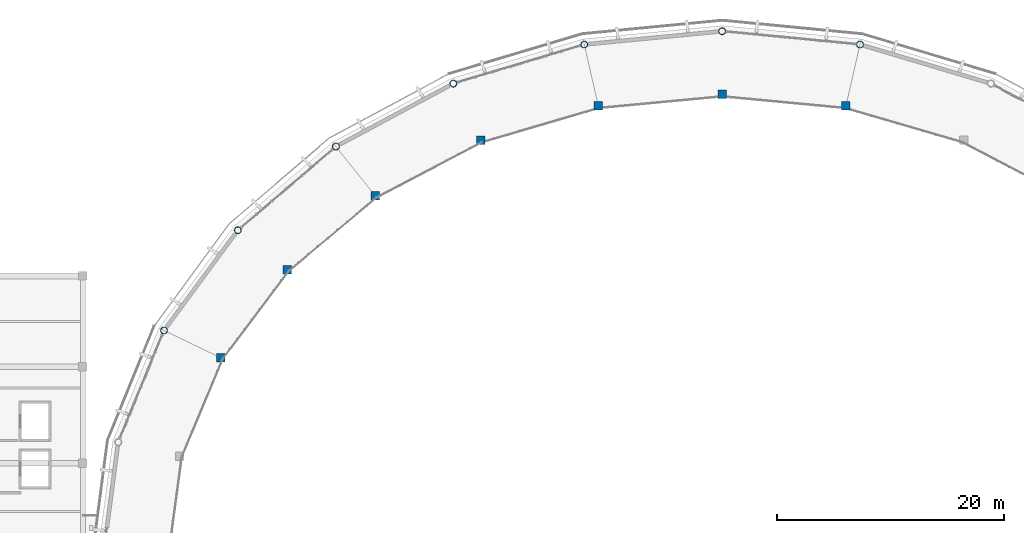
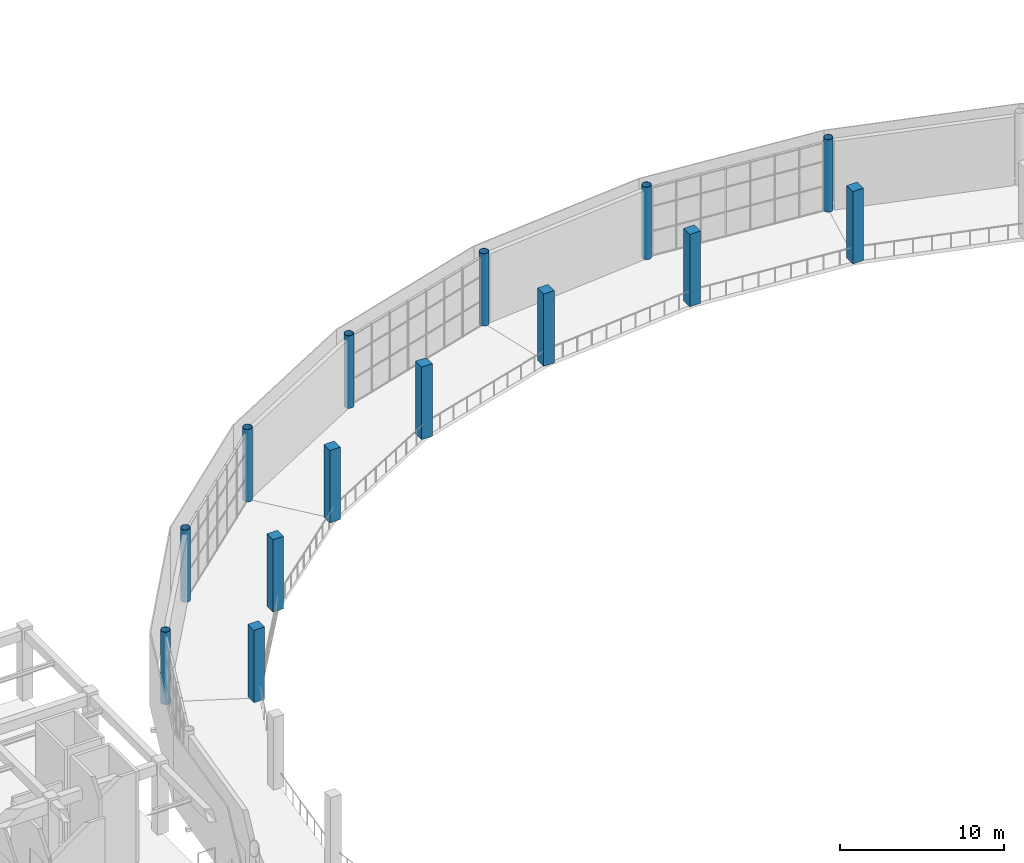
# One storey, part 5 of 40: 14 columns.
"""IFC4 building model written with IfcOpenShell, lengths in metres."""

from ifc_helpers import new_model, si_unit, direction, frame, origin, origin_2d, place, context, subcontext, project, spatial, rectangle, hollow_circle, extrude, material, material_profile, profile_set, type_object, element, save


model = new_model("IFC4")

# Units and contexts
model_context = context("Model", 3, precision=1e-05, world=origin(), true_north=direction((0.0, 1.0)))
body_context = subcontext(model_context, "Body", "Model", "MODEL_VIEW")
ifc_project = project(units=[si_unit("LENGTHUNIT", "METRE"), si_unit("AREAUNIT", "SQUARE_METRE"), si_unit("VOLUMEUNIT", "CUBIC_METRE"), si_unit("PLANEANGLEUNIT", "RADIAN"), si_unit("MASSUNIT", "GRAM", prefix="KILO")], contexts=[model_context])

# Site, building, storey
site_placement = place(None, origin())
site = spatial("IfcSite", under=ifc_project, at=site_placement, CompositionType="ELEMENT")
building_placement = place(site_placement, origin())
building = spatial("IfcBuilding", under=site, at=building_placement, Name="Cuetzalor Civic Arena", CompositionType="ELEMENT")
storey_placement = place(building_placement, frame((0.0, 0.0, 26.39990234375)))
storey = spatial("IfcBuildingStorey", under=building, at=storey_placement, Name="L05", CompositionType="ELEMENT", Elevation=26.39990234375)

# Columns
ifc_material_1 = material(Name="Concrete C40/50", Category="concrete")
ifc_material_profile_1 = material_profile(ifc_material_1, rectangle(XDim=0.75, YDim=0.75, at=origin_2d()), Name="RC 750x750")
ifc_profile_set_1 = profile_set([ifc_material_profile_1], Name="Concrete C40/50")
column_type_1 = type_object("IfcColumnType", Name="ConcreteColumn_750", PredefinedType="COLUMN", material=ifc_profile_set_1)
for number, where, z_axis, x_axis, name in (
    (1, (10.903564453125, 39.971923828125, 0.0), (0.0, 0.0, 1.0), (1.0, 0.0, 0.0), "Column V1-REC-07 L05"),
    (2, (0.0, 41.0, 0.0), (0.0, 0.0, 1.0), (1.0, 0.0, 0.0), "Column V1-REC-08 L05"),
    (3, (-10.903564453125, 39.971923828125, 0.0), (0.0, 0.0, 1.0), (1.0, 0.0, 0.0), "Column V1-REC-09 L05"),
    (4, (-21.26025390625, 36.939697265625, 0.0), (0.0, 0.0, 1.0), (1.0, 0.0, 0.0), "Column V1-REC-10 L05"),
    (5, (-30.551025390625, 32.05517578125, 0.0), (0.0, 0.0, 1.0), (1.0, 0.0, 0.0), "Column V1-REC-11 L05"),
    (6, (-38.309814453125, 25.56298828125, 0.0), (0.0, 0.0, 1.0), (1.0, 0.0, 0.0), "Column V1-REC-12 L05"),
    (7, (-44.1474609375, 17.789306640625, 0.0), (0.0, 0.0, 1.0), (1.0, 0.0, 0.0), "Column V1-REC-13 L05"),
):
    element("IfcColumn", number, at=place(storey_placement, frame(where, z_axis=z_axis, x_axis=x_axis)), inside=storey, type_object=column_type_1, Name=name, PredefinedType="COLUMN", context=body_context, shape_type="SweptSolid", body=[
        extrude(rectangle(XDim=0.75, YDim=0.75, at=origin_2d()), origin(), (0.0, 0.0, 1.0), 5.400146484375),
    ])
ifc_material_2 = material(Name="Steel S355", Category="steel")
ifc_material_profile_2 = material_profile(ifc_material_2, hollow_circle(Radius=0.304931640625, WallThickness=0.02490234375, at=origin_2d()), Name="CHS 610x25")
ifc_profile_set_2 = profile_set([ifc_material_profile_2], Name="Steel S355")
column_type_2 = type_object("IfcColumnType", Name="SteelDomePylon_CHS610", PredefinedType="COLUMN", material=ifc_profile_set_2)
for number, where, z_axis, x_axis, name in (
    (8, (12.138427734375, 45.3828125, 0.0), (0.0, 0.0, 1.0), (1.0, 0.0, 0.0), "Column V1-PYL-07 L05"),
    (9, (0.0, 46.550048828125, 0.0), (0.0, 0.0, 1.0), (1.0, 0.0, 0.0), "Column V1-PYL-08 L05"),
    (10, (-12.138427734375, 45.3828125, 0.0), (0.0, 0.0, 1.0), (1.0, 0.0, 0.0), "Column V1-PYL-09 L05"),
    (11, (-23.66845703125, 41.940185546875, 0.0), (0.0, 0.0, 1.0), (1.0, 0.0, 0.0), "Column V1-PYL-10 L05"),
    (12, (-34.011474609375, 36.394287109375, 0.0), (0.0, 0.0, 1.0), (1.0, 0.0, 0.0), "Column V1-PYL-11 L05"),
    (13, (-42.64892578125, 29.0234375, 0.0), (0.0, 0.0, 1.0), (1.0, 0.0, 0.0), "Column V1-PYL-12 L05"),
    (14, (-49.14794921875, 20.197265625, 0.0), (0.0, 0.0, 1.0), (1.0, 0.0, 0.0), "Column V1-PYL-13 L05"),
):
    element("IfcColumn", number, at=place(storey_placement, frame(where, z_axis=z_axis, x_axis=x_axis)), inside=storey, type_object=column_type_2, Name=name, PredefinedType="COLUMN", context=body_context, shape_type="SweptSolid", body=[
        extrude(hollow_circle(Radius=0.304931640625, WallThickness=0.02490234375, at=origin_2d()), origin(), (0.0, 0.0, 1.0), 5.400146484375),
    ])

save(model, "model.ifc")
